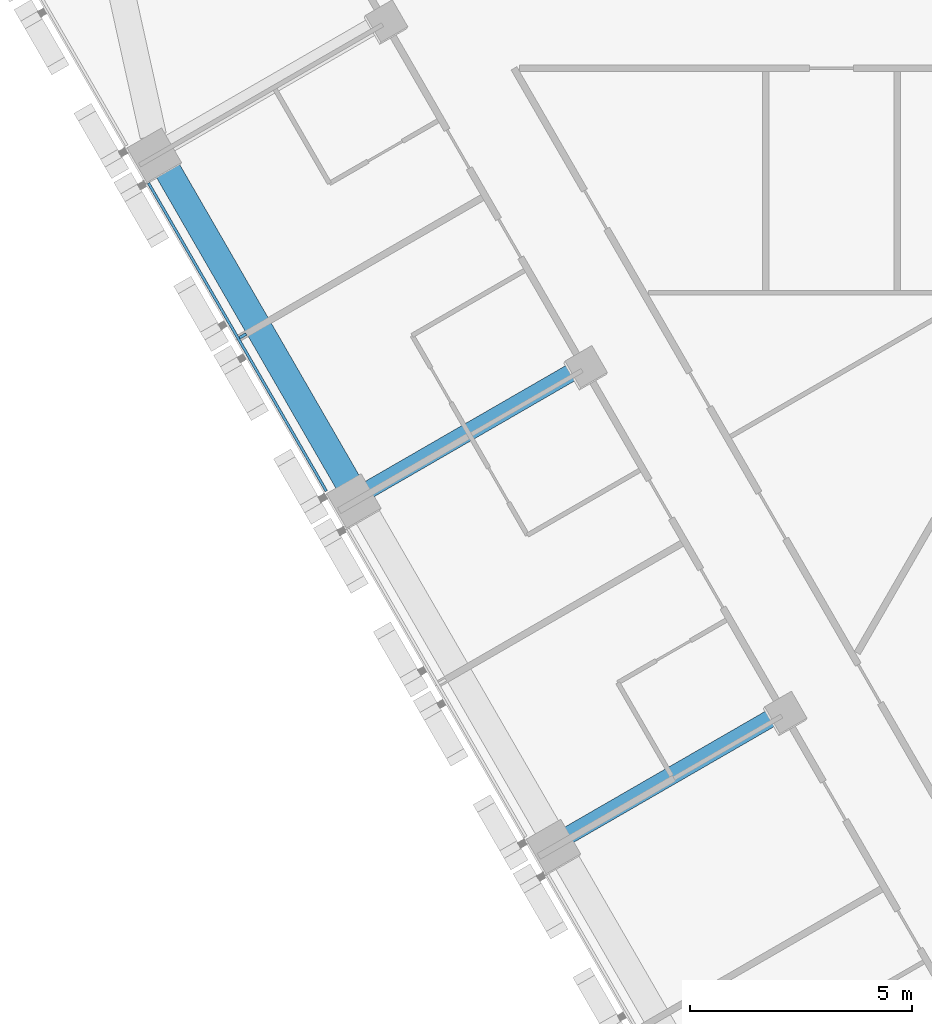
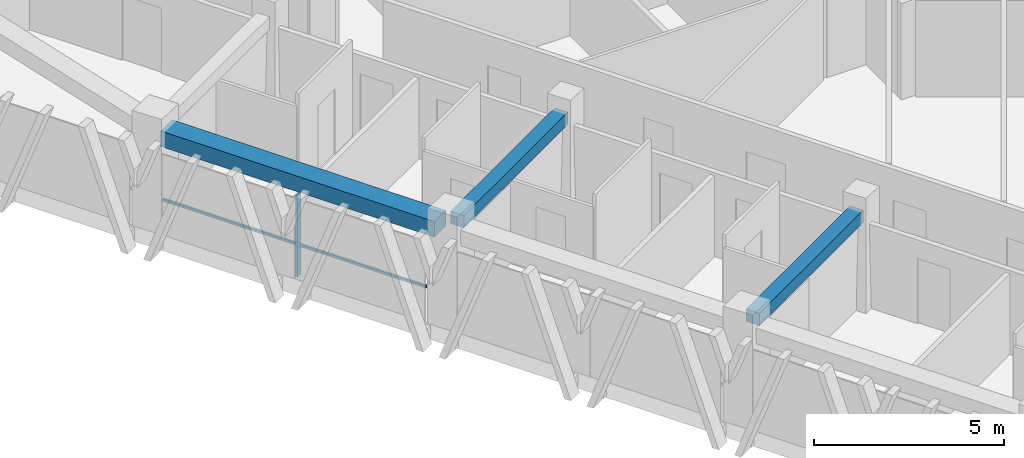
# One storey, part 3 of 16: 3 beams, 2 members, 1 element without a shape of its own.
"""IFC4 building model written with IfcOpenShell, lengths in metres."""

from ifc_helpers import new_model, si_unit, direction, frame, origin, origin_2d, place, context, subcontext, project, spatial, rectangle, extrude, material, layer, layer_set, material_profile, profile_set, type_object, element, aggregate, save


model = new_model("IFC4")

# Units and contexts
model_context = context("Model", 3, precision=1e-05, world=origin(), true_north=direction((0.0, 1.0)))
body_context = subcontext(model_context, "Body", "Model", "MODEL_VIEW")
ifc_project = project(units=[si_unit("LENGTHUNIT", "METRE"), si_unit("AREAUNIT", "SQUARE_METRE"), si_unit("VOLUMEUNIT", "CUBIC_METRE"), si_unit("PLANEANGLEUNIT", "RADIAN"), si_unit("MASSUNIT", "GRAM", prefix="KILO")], contexts=[model_context])

# Site, building, storey
site_placement = place(None, origin())
site = spatial("IfcSite", under=ifc_project, at=site_placement, CompositionType="ELEMENT")
building_placement = place(site_placement, origin())
building = spatial("IfcBuilding", under=site, at=building_placement, Name="Altiplano Prism Tower", CompositionType="ELEMENT")
storey_placement = place(building_placement, frame((0.0, 0.0, 104.39990234375)))
storey = spatial("IfcBuildingStorey", under=building, at=storey_placement, Name="L26", CompositionType="ELEMENT", Elevation=104.39990234375)

# Curtain wall, members
ifc_material_1 = material(Name="Aluminium and glass", Category="aluminium")
ifc_layer = layer(ifc_material_1, 0.280029296875)
ifc_layer_set = layer_set([ifc_layer], Name="Aluminium and glass")
curtain_wall_type = type_object("IfcCurtainWallType", Name="CW1 typical co-living unitised curtain wall", PredefinedType="NOTDEFINED", material=ifc_layer_set)
curtain_wall_placement = place(storey_placement, origin())
curtain_wall = element("IfcCurtainWall", 1, at=curtain_wall_placement, inside=storey, type_object=curtain_wall_type, Name="CW1 curtain wall south-west face L26", PredefinedType="NOTDEFINED")
ifc_material_2 = material(Name="Aluminium", Category="aluminium")
ifc_material_profile_1 = material_profile(ifc_material_2, rectangle(XDim=0.179931640625, YDim=0.06494140625, at=origin_2d()), Name="CW1 mullion 65 x 180")
ifc_profile_set_1 = profile_set([ifc_material_profile_1], Name="Aluminium")
member_type_1 = type_object("IfcMemberType", Name="CW1 mullion 65 x 180", PredefinedType="MULLION", material=ifc_profile_set_1)
member_1_placement = place(storey_placement, frame((64.19775390625, 84.367919921875, 0.0), z_axis=(0.0, 0.0, 1.0), x_axis=(0.866025401838, 0.500000003371, 0.0)))
member_1 = element("IfcMember", 2, at=member_1_placement, type_object=member_type_1, Name="CW1 mullion", PredefinedType="MULLION", context=body_context, shape_type="SweptSolid", body=[
    extrude(rectangle(XDim=0.179931640625, YDim=0.06494140625, at=origin_2d()), origin(), (0.0, 0.0, 1.0), 2.60009765625),
])
ifc_material_profile_2 = material_profile(ifc_material_2, rectangle(XDim=0.06005859375, YDim=0.080078125, at=origin_2d()), Name="CW1 transom 80 x 60")
ifc_profile_set_2 = profile_set([ifc_material_profile_2], Name="Aluminium")
member_type_2 = type_object("IfcMemberType", Name="CW1 transom 80 x 60", PredefinedType="USERDEFINED", material=ifc_profile_set_2)
member_2_placement = place(storey_placement, frame((62.069091796875, 87.814697265625, 1.10009765625), z_axis=(0.500012318566, -0.86601829154, 0.0), x_axis=(0.86601829154, 0.500012318566, 0.0)))
member_2 = element("IfcMember", 3, at=member_2_placement, type_object=member_type_2, Name="CW1 transom", ObjectType="TRANSOM", PredefinedType="USERDEFINED", context=body_context, shape_type="SweptSolid", body=[
    extrude(rectangle(XDim=0.06005859375, YDim=0.080078125, at=origin_2d()), origin(), (0.0, 0.0, 1.0), 8.019775390625),
])
aggregate(curtain_wall, [member_1, member_2])

# Beams
ifc_material_3 = material(Name="Concrete C60/75", Category="concrete")
ifc_material_profile_3 = material_profile(ifc_material_3, rectangle(XDim=0.60009765625, YDim=0.5, at=origin_2d()), Name="Edge beam 600x500")
ifc_profile_set_3 = profile_set([ifc_material_profile_3], Name="Concrete C60/75")
beam_type_1 = type_object("IfcBeamType", Name="Edge beam 600x500", PredefinedType="SPANDREL", material=ifc_profile_set_3)
beam_placement = place(storey_placement, frame((62.41796875, 88.247802734375, 2.85009765625), z_axis=(0.499992746786, -0.866029591389, 0.0), x_axis=(0.866029591389, 0.499992746786, 0.0)))
element("IfcBeam", 4, at=beam_placement, inside=storey, type_object=beam_type_1, Name="Edge beam P11-P12 L27", PredefinedType="SPANDREL", context=body_context, shape_type="SweptSolid", body=[
    extrude(rectangle(XDim=0.60009765625, YDim=0.5, at=origin_2d()), origin(), (0.0, 0.0, 1.0), 8.33984375),
])
ifc_material_profile_4 = material_profile(ifc_material_3, rectangle(XDim=0.39990234375, YDim=0.39990234375, at=origin_2d()), Name="Tie beam 400x400")
ifc_profile_set_4 = profile_set([ifc_material_profile_4], Name="Concrete C60/75")
beam_type_2 = type_object("IfcBeamType", Name="Tie beam 400x400", PredefinedType="BEAM", material=ifc_profile_set_4)
for number, where, z_axis, x_axis, name in (
    (5, (71.793212890625, 83.6494140625, 2.900146484375), (-0.866012292785, -0.50002270823, 0.0), (0.50002270823, -0.866012292785, 0.0), "Tie beam I12 L27"),
    (6, (76.293212890625, 75.855224609375, 2.900146484375), (-0.866012292785, -0.50002270823, 0.0), (0.50002270823, -0.866012292785, 0.0), "Tie beam I13 L27"),
):
    element("IfcBeam", number, at=place(storey_placement, frame(where, z_axis=z_axis, x_axis=x_axis)), inside=storey, type_object=beam_type_2, Name=name, PredefinedType="BEAM", context=body_context, shape_type="SweptSolid", body=[
        extrude(rectangle(XDim=0.39990234375, YDim=0.39990234375, at=origin_2d()), origin(), (0.0, 0.0, 1.0), 5.489990234375),
    ])

save(model, "model.ifc")
